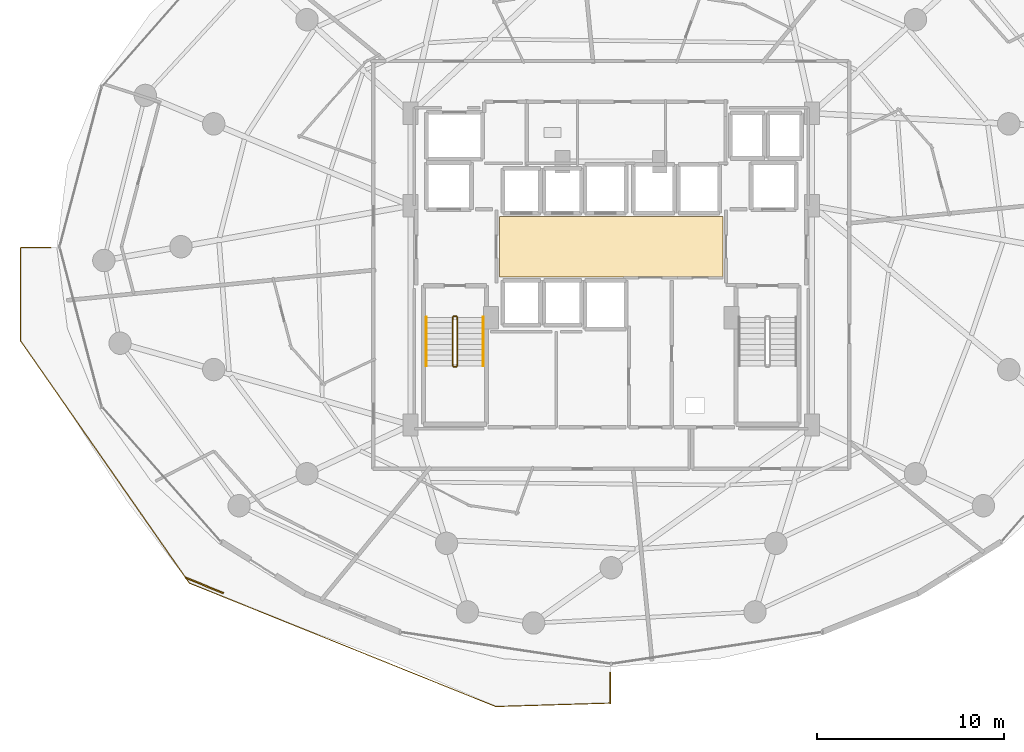
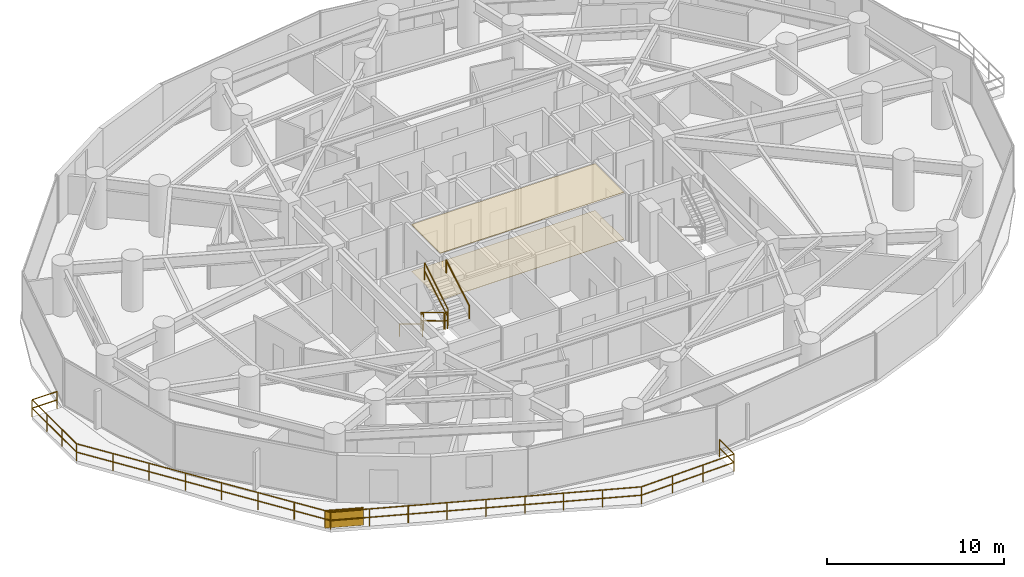
# One storey, part 28 of 30: 8 railings, 2 coverings, 1 shading device.
"""IFC4 building model written with IfcOpenShell, lengths in metres."""

import ifcopenshell
import ifcopenshell.guid

model = None  # the IFC model being written
_history = None  # IfcOwnerHistory: only IFC2X3 demands one
_inside = {}  # id of a spatial element -> (the spatial element, [elements in it])
_under = {}  # id of a project, library or spatial element -> (it, [spatial elements below it])
_declared = {}  # id of a project -> (the project, [libraries it declares])
_typed = {}  # id of a type object -> (the type object, [elements of that type])
_made_of = {}  # id of a material, layer set ... -> (it, [elements and type objects made of it])


def new_model(schema):
    """Start an empty IFC model of exactly this schema.

    Asked for "IFC4X3", IfcOpenShell would pick the latest addendum, in which some entities
    have other attributes; the version numbers below select the first issue.
    IFC2X3 requires an IfcOwnerHistory on every rooted entity: one is made here for all.
    """
    global model, _history
    if schema == "IFC4X3":
        model = ifcopenshell.file(schema_version=(4, 3, 0, 0))
    else:
        model = ifcopenshell.file(schema=schema)
    _inside.clear()
    _under.clear()
    _declared.clear()
    _typed.clear()
    _made_of.clear()
    _history = None
    if model.schema == "IFC2X3":
        org = make("IfcOrganization", Name="unknown")
        user = make(
            "IfcPersonAndOrganization",
            ThePerson=make("IfcPerson", FamilyName="unknown"),
            TheOrganization=org,
        )
        app = make(
            "IfcApplication",
            ApplicationDeveloper=org,
            Version="unknown",
            ApplicationFullName="unknown",
            ApplicationIdentifier="unknown",
        )
        _history = make(
            "IfcOwnerHistory",
            OwningUser=user,
            OwningApplication=app,
            ChangeAction="ADDED",
            CreationDate=0,
        )
    return model


def make(cls, **values):
    """One entity of the class cls with the attributes given. An attribute that is None is left unset."""
    return model.create_entity(
        cls, **{name: value for name, value in values.items() if value is not None}
    )


def rooted(cls, **values):
    """An entity with a GlobalId (a new one), such as an element, a storey or a relation."""
    return make(cls, GlobalId=ifcopenshell.guid.new(), OwnerHistory=_history, **values)


def si_unit(unit_type, name, prefix=None):
    """IfcSIUnit, for example si_unit("LENGTHUNIT", "METRE", prefix="MILLI")."""
    return make("IfcSIUnit", UnitType=unit_type, Prefix=prefix, Name=name)


def assignment(units):
    """IfcUnitAssignment: the units of a project."""
    return None if units is None else make("IfcUnitAssignment", Units=units)


def point(xyz):
    """IfcCartesianPoint."""
    return None if xyz is None else make("IfcCartesianPoint", Coordinates=xyz)


def direction(xyz):
    """IfcDirection."""
    return None if xyz is None else make("IfcDirection", DirectionRatios=xyz)


def frame(location, z_axis=None, x_axis=None):
    """IfcAxis2Placement3D, a coordinate frame: its origin and axes. An axis left out is left unset."""
    return make(
        "IfcAxis2Placement3D",
        Location=point(location),
        Axis=direction(z_axis),
        RefDirection=direction(x_axis),
    )


def frame_2d(location, x_axis=None):
    """IfcAxis2Placement2D, a coordinate frame in the plane: its origin and x axis."""
    return make(
        "IfcAxis2Placement2D", Location=point(location), RefDirection=direction(x_axis)
    )


def origin():
    """The frame at (0, 0, 0) with its axes left unset."""
    return frame((0.0, 0.0, 0.0))


def origin_2d():
    """The frame at (0, 0) in the plane with its x axis left unset."""
    return frame_2d((0.0, 0.0))


def place(relative_to, where):
    """IfcLocalPlacement: puts the frame where relative to a parent placement (None: the world)."""
    return make(
        "IfcLocalPlacement", PlacementRelTo=relative_to, RelativePlacement=where
    )


def context(
    kind, dimensions, precision=None, world=None, true_north=None, identifier=None
):
    """IfcGeometricRepresentationContext, for example the 3D "Model" context."""
    return make(
        "IfcGeometricRepresentationContext",
        ContextIdentifier=identifier,
        ContextType=kind,
        CoordinateSpaceDimension=dimensions,
        Precision=precision,
        WorldCoordinateSystem=world,
        TrueNorth=true_north,
    )


def subcontext(parent, identifier, kind, view, scale=None):
    """IfcGeometricRepresentationSubContext, for example "Body" below "Model"."""
    return make(
        "IfcGeometricRepresentationSubContext",
        ContextIdentifier=identifier,
        ContextType=kind,
        ParentContext=parent,
        TargetScale=scale,
        TargetView=view,
    )


def project(units=None, contexts=None):
    """IfcProject with its units and contexts."""
    return rooted(
        "IfcProject",
        Name="project",
        RepresentationContexts=contexts,
        UnitsInContext=assignment(units),
    )


def spatial(cls, under=None, at=None, **own):
    """A site, building, storey or space (cls), placed at a placement, below another one or the project."""
    s = rooted(cls, ObjectPlacement=at, **own)
    if under is not None:
        _under.setdefault(under.id(), (under, []))[1].append(s)
    return s


def polyline(points):
    """IfcPolyline through the points."""
    return make("IfcPolyline", Points=[point(p) for p in points])


def profile(cls, at=None, kind="AREA", **sizes):
    """A parametric profile (cls). Its sizes go by their IFC names, for example OverallWidth=200.0."""
    return make(cls, ProfileType=kind, Position=at, **sizes)


def rectangle(**sizes):
    """IfcRectangleProfileDef."""
    return profile("IfcRectangleProfileDef", **sizes)


def outline(outer, holes=None, kind="AREA"):
    """IfcArbitraryClosedProfileDef: a profile drawn as a closed curve; with holes, ...WithVoids."""
    if holes is None:
        return make("IfcArbitraryClosedProfileDef", ProfileType=kind, OuterCurve=outer)
    return make(
        "IfcArbitraryProfileDefWithVoids",
        ProfileType=kind,
        OuterCurve=outer,
        InnerCurves=holes,
    )


def extrude(swept, where, along, depth):
    """IfcExtrudedAreaSolid: the profile swept, set in the frame where, extruded along a direction by depth."""
    return make(
        "IfcExtrudedAreaSolid",
        SweptArea=swept,
        Position=where,
        ExtrudedDirection=direction(along),
        Depth=depth,
    )


def shape(context_of_items, identifier, shape_type, items):
    """IfcShapeRepresentation: the items that make up one representation, for example the "Body"."""
    return make(
        "IfcShapeRepresentation",
        ContextOfItems=context_of_items,
        RepresentationIdentifier=identifier,
        RepresentationType=shape_type,
        Items=items,
    )


def material(Name=None, Category=None):
    """IfcMaterial."""
    return make("IfcMaterial", Name=Name, Category=Category)


def layer(
    of_material, thickness, ventilated=None, Name=None, Category=None, Priority=None
):
    """IfcMaterialLayer: one layer of a wall or slab, of a material (None: an air gap)."""
    return make(
        "IfcMaterialLayer",
        Material=of_material,
        LayerThickness=thickness,
        IsVentilated=ventilated,
        Name=Name,
        Category=Category,
        Priority=Priority,
    )


def layer_set(layers, Name=None):
    """IfcMaterialLayerSet."""
    return make("IfcMaterialLayerSet", MaterialLayers=layers, LayerSetName=Name)


def made_of(thing, what):
    """Note that an element or type object is made of a material, layer set ...; save() writes the relation."""
    if what is not None:
        _made_of.setdefault(what.id(), (what, []))[1].append(thing)
    return thing


def type_object(cls, material=None, **own):
    """A type object (cls), such as IfcWallType, which elements share."""
    return made_of(rooted(cls, **own), material)


def element(
    cls,
    number,
    at=None,
    inside=None,
    cuts=None,
    type_object=None,
    material=None,
    context=None,
    identifier="Body",
    shape_type=None,
    held_by="IfcProductDefinitionShape",
    body=None,
    shapes=None,
    **own,
):
    """One element of the class cls, such as IfcWall. Its Tag is "e" and its number.

    at: its placement. inside: the storey or other place that contains it. cuts: it is an
    opening in that element (IfcRelVoidsElement). A single representation is given by context,
    identifier, shape_type and body (its items); several are given by shapes. held_by: the class
    of the entity that holds the representations. save() writes the other relations.
    """
    e = rooted(cls, Tag="e%d" % number, ObjectPlacement=at, **own)
    if body is not None:
        shapes = [shape(context, identifier, shape_type, body)]
    if shapes is not None:
        e.Representation = make(held_by, Representations=shapes)
    if inside is not None:
        _inside.setdefault(inside.id(), (inside, []))[1].append(e)
    if cuts is not None:
        rooted(
            "IfcRelVoidsElement", RelatingBuildingElement=cuts, RelatedOpeningElement=e
        )
    if type_object is not None:
        _typed.setdefault(type_object.id(), (type_object, []))[1].append(e)
    return made_of(e, material)


def aggregate(whole, parts):
    """IfcRelAggregates: a whole, such as a stair, and the parts it consists of."""
    return rooted("IfcRelAggregates", RelatingObject=whole, RelatedObjects=parts)


def save(model, path):
    """Write the relations noted so far, then the file.

    IfcRelAggregates (storeys below a building ...), IfcRelContainedInSpatialStructure (elements
    in a storey), IfcRelDefinesByType, IfcRelAssociatesMaterial and IfcRelDeclares: one each for
    every whole, place, type object, material and project.
    """
    for whole, parts in _under.values():
        aggregate(whole, parts)
    for where, things in _inside.values():
        rooted(
            "IfcRelContainedInSpatialStructure",
            RelatedElements=things,
            RelatingStructure=where,
        )
    for kind, things in _typed.values():
        rooted("IfcRelDefinesByType", RelatedObjects=things, RelatingType=kind)
    for what, things in _made_of.values():
        rooted("IfcRelAssociatesMaterial", RelatedObjects=things, RelatingMaterial=what)
    for by, libraries in _declared.values():
        rooted("IfcRelDeclares", RelatingContext=by, RelatedDefinitions=libraries)
    model.write(path)


model = new_model("IFC4")

# Units and contexts
model_context = context("Model", 3, precision=1e-05, world=origin(), true_north=direction((0.0, 1.0)))
body_context = subcontext(model_context, "Body", "Model", "MODEL_VIEW")
ifc_project = project(units=[si_unit("LENGTHUNIT", "METRE"), si_unit("AREAUNIT", "SQUARE_METRE"), si_unit("VOLUMEUNIT", "CUBIC_METRE"), si_unit("PLANEANGLEUNIT", "RADIAN"), si_unit("MASSUNIT", "GRAM", prefix="KILO")], contexts=[model_context])

# Site, building, storey
site_placement = place(None, origin())
site = spatial("IfcSite", under=ifc_project, at=site_placement, CompositionType="ELEMENT")
building_placement = place(site_placement, origin())
building = spatial("IfcBuilding", under=site, at=building_placement, Name="Vorneva Point Tower", CompositionType="ELEMENT")
storey_placement = place(building_placement, frame((0.0, 0.0, 55.5)))
storey = spatial("IfcBuildingStorey", under=building, at=storey_placement, Name="L14", CompositionType="ELEMENT", Elevation=55.5)

# Coverings
ifc_material_1 = material(Name="Perforated acoustic aluminium baffle ceiling", Category="aluminium")
ifc_layer_1 = layer(ifc_material_1, 0.030029296875)
ifc_layer_set_1 = layer_set([ifc_layer_1], Name="Perforated acoustic aluminium baffle ceiling")
covering_type_1 = type_object("IfcCoveringType", Name="COV-CEIL-BAF", PredefinedType="CEILING", material=ifc_layer_set_1)
covering_1_placement = place(storey_placement, frame((0.0, 0.0, 3.2099609375)))
element("IfcCovering", 1, at=covering_1_placement, inside=storey, type_object=covering_type_1, Name="L14 Lift Lobby Acoustic Baffle Ceiling", PredefinedType="CEILING", context=body_context, shape_type="SweptSolid", body=[
    extrude(outline(polyline([(32.02001953125, 24.3701171875), (43.97998046875, 24.3701171875), (43.97998046875, 27.6298828125), (32.02001953125, 27.6298828125), (32.02001953125, 24.3701171875)])), origin(), (0.0, 0.0, 1.0), 0.03515625),
])
ifc_material_2 = material(Name="Acoustic wool hospitality carpet", Category="textile")
ifc_layer_2 = layer(ifc_material_2, 0.01806640625)
ifc_layer_set_2 = layer_set([ifc_layer_2], Name="Acoustic wool hospitality carpet")
covering_type_2 = type_object("IfcCoveringType", Name="COV-FLR-CRP", PredefinedType="FLOORING", material=ifc_layer_set_2)
covering_2_placement = place(storey_placement, frame((0.0, 0.0, -0.0048828125)))
element("IfcCovering", 2, at=covering_2_placement, inside=storey, type_object=covering_type_2, Name="L14 Lift Lobby Floor Finish", PredefinedType="FLOORING", context=body_context, shape_type="SweptSolid", body=[
    extrude(outline(polyline([(32.02001953125, 24.3701171875), (43.97998046875, 24.3701171875), (43.97998046875, 27.6298828125), (32.02001953125, 27.6298828125), (32.02001953125, 24.3701171875)])), origin(), (0.0, 0.0, 1.0), 0.02294921875),
])

# Railings
ifc_material_3 = material(Name="Pale anodised aluminium", Category="aluminium")
railing_type_1 = type_object("IfcRailingType", Name="RL-BAL-1200", PredefinedType="BALUSTRADE", material=ifc_material_3)
railing_1_placement = place(storey_placement, frame((37.949951171875, 1.548583984375, 0.0)))
element("IfcRailing", 3, at=railing_1_placement, inside=storey, type_object=railing_type_1, Name="L14 Wave Balcony Balustrade SW.1", PredefinedType="BALUSTRADE", context=body_context, shape_type="SweptSolid", body=[
    extrude(rectangle(XDim=0.048095703125, YDim=0.048095703125, at=origin_2d()), frame((0.0, 0.0, 1.17578125), z_axis=(0.0, 1.0, 0.0), x_axis=(-1.0, 0.0, 0.0)), (0.0, 0.0, 1.0), 1.63427734375),
    extrude(rectangle(XDim=0.048095703125, YDim=0.048095703125, at=origin_2d()), frame((0.0, 0.0, 0.60009765625), z_axis=(0.0, 1.0, 0.0), x_axis=(-1.0, 0.0, 0.0)), (0.0, 0.0, 1.0), 1.63427734375),
    extrude(rectangle(XDim=0.0419921875, YDim=0.0419921875, at=origin_2d()), origin(), (0.0, 0.0, 1.0), 1.15185546875),
    extrude(rectangle(XDim=0.0419921875, YDim=0.0419921875, at=origin_2d()), frame((0.0, 1.63427734375, 0.0)), (0.0, 0.0, 1.0), 1.15185546875),
])
railing_2_placement = place(storey_placement, frame((7.98388671875, 25.949951171875, 0.0)))
element("IfcRailing", 4, at=railing_2_placement, inside=storey, type_object=railing_type_1, Name="L14 Wave Balcony Balustrade SW.2", PredefinedType="BALUSTRADE", context=body_context, shape_type="SweptSolid", body=[
    extrude(rectangle(XDim=0.048095703125, YDim=0.048095703125, at=origin_2d()), frame((0.0, 0.0, 1.17578125), z_axis=(-1.0, 0.0, 0.0), x_axis=(0.0, -1.0, 0.0)), (0.0, 0.0, 1.0), 1.6337890625),
    extrude(rectangle(XDim=0.048095703125, YDim=0.048095703125, at=origin_2d()), frame((0.0, 0.0, 0.60009765625), z_axis=(-1.0, 0.0, 0.0), x_axis=(0.0, -1.0, 0.0)), (0.0, 0.0, 1.0), 1.6337890625),
    extrude(rectangle(XDim=0.048095703125, YDim=0.048095703125, at=origin_2d()), frame((-1.6337890625, 0.0, 1.17578125), z_axis=(0.001806990603, -0.999998367391, 0.0), x_axis=(0.999998367391, 0.001806990603, 0.0)), (0.0, 0.0, 1.0), 4.9990234375),
    extrude(rectangle(XDim=0.048095703125, YDim=0.048095703125, at=origin_2d()), frame((-1.6337890625, 0.0, 0.60009765625), z_axis=(0.001806990603, -0.999998367391, 0.0), x_axis=(0.999998367391, 0.001806990603, 0.0)), (0.0, 0.0, 1.0), 4.9990234375),
    extrude(rectangle(XDim=0.048095703125, YDim=0.048095703125, at=origin_2d()), frame((-1.624755859375, -4.9990234375, 1.17578125), z_axis=(0.57169314474, -0.8204675181, 0.0), x_axis=(0.8204675181, 0.57169314474, 0.0)), (0.0, 0.0, 1.0), 15.81201171875),
    extrude(rectangle(XDim=0.048095703125, YDim=0.048095703125, at=origin_2d()), frame((-1.624755859375, -4.9990234375, 0.60009765625), z_axis=(0.57169314474, -0.8204675181, 0.0), x_axis=(0.8204675181, 0.57169314474, 0.0)), (0.0, 0.0, 1.0), 15.81201171875),
    extrude(rectangle(XDim=0.048095703125, YDim=0.048095703125, at=origin_2d()), frame((7.414794921875, -17.97216796875, 1.17578125), z_axis=(0.927593308703, -0.373591559929, 0.0), x_axis=(0.373591559929, 0.927593308703, 0.0)), (0.0, 0.0, 1.0), 17.701904296875),
    extrude(rectangle(XDim=0.048095703125, YDim=0.048095703125, at=origin_2d()), frame((7.414794921875, -17.97216796875, 0.60009765625), z_axis=(0.927593308703, -0.373591559929, 0.0), x_axis=(0.373591559929, 0.927593308703, 0.0)), (0.0, 0.0, 1.0), 17.701904296875),
    extrude(rectangle(XDim=0.048095703125, YDim=0.048095703125, at=origin_2d()), frame((23.8349609375, -24.58544921875, 1.17578125), z_axis=(0.999549575505, 0.030010766533, 0.0), x_axis=(-0.030010766533, 0.999549575505, 0.0)), (0.0, 0.0, 1.0), 6.1337890625),
    extrude(rectangle(XDim=0.048095703125, YDim=0.048095703125, at=origin_2d()), frame((23.8349609375, -24.58544921875, 0.60009765625), z_axis=(0.999549575505, 0.030010766533, 0.0), x_axis=(-0.030010766533, 0.999549575505, 0.0)), (0.0, 0.0, 1.0), 6.1337890625),
    extrude(rectangle(XDim=0.0419921875, YDim=0.0419921875, at=origin_2d()), origin(), (0.0, 0.0, 1.0), 1.15185546875),
    extrude(rectangle(XDim=0.0419921875, YDim=0.0419921875, at=origin_2d()), frame((-1.6337890625, 0.0, 0.0)), (0.0, 0.0, 1.0), 1.15185546875),
    extrude(rectangle(XDim=0.0419921875, YDim=0.0419921875, at=origin_2d()), frame((-1.630859375, -1.666259765625, 0.0)), (0.0, 0.0, 1.0), 1.15185546875),
    extrude(rectangle(XDim=0.0419921875, YDim=0.0419921875, at=origin_2d()), frame((-1.627685546875, -3.332763671875, 0.0)), (0.0, 0.0, 1.0), 1.15185546875),
    extrude(rectangle(XDim=0.0419921875, YDim=0.0419921875, at=origin_2d()), frame((-1.624755859375, -4.9990234375, 0.0)), (0.0, 0.0, 1.0), 1.15185546875),
    extrude(rectangle(XDim=0.0419921875, YDim=0.0419921875, at=origin_2d()), frame((-0.33349609375, -6.852294921875, 0.0)), (0.0, 0.0, 1.0), 1.15185546875),
    extrude(rectangle(XDim=0.0419921875, YDim=0.0419921875, at=origin_2d()), frame((0.9580078125, -8.70556640625, 0.0)), (0.0, 0.0, 1.0), 1.15185546875),
    extrude(rectangle(XDim=0.0419921875, YDim=0.0419921875, at=origin_2d()), frame((2.249267578125, -10.558837890625, 0.0)), (0.0, 0.0, 1.0), 1.15185546875),
    extrude(rectangle(XDim=0.0419921875, YDim=0.0419921875, at=origin_2d()), frame((3.540771484375, -12.412353515625, 0.0)), (0.0, 0.0, 1.0), 1.15185546875),
    extrude(rectangle(XDim=0.0419921875, YDim=0.0419921875, at=origin_2d()), frame((4.83203125, -14.265625, 0.0)), (0.0, 0.0, 1.0), 1.15185546875),
    extrude(rectangle(XDim=0.0419921875, YDim=0.0419921875, at=origin_2d()), frame((6.12353515625, -16.118896484375, 0.0)), (0.0, 0.0, 1.0), 1.15185546875),
    extrude(rectangle(XDim=0.0419921875, YDim=0.0419921875, at=origin_2d()), frame((7.414794921875, -17.97216796875, 0.0)), (0.0, 0.0, 1.0), 1.15185546875),
    extrude(rectangle(XDim=0.0419921875, YDim=0.0419921875, at=origin_2d()), frame((9.46728515625, -18.798828125, 0.0)), (0.0, 0.0, 1.0), 1.15185546875),
    extrude(rectangle(XDim=0.0419921875, YDim=0.0419921875, at=origin_2d()), frame((11.519775390625, -19.62548828125, 0.0)), (0.0, 0.0, 1.0), 1.15185546875),
    extrude(rectangle(XDim=0.0419921875, YDim=0.0419921875, at=origin_2d()), frame((13.572265625, -20.4521484375, 0.0)), (0.0, 0.0, 1.0), 1.15185546875),
    extrude(rectangle(XDim=0.0419921875, YDim=0.0419921875, at=origin_2d()), frame((15.625, -21.27880859375, 0.0)), (0.0, 0.0, 1.0), 1.15185546875),
    extrude(rectangle(XDim=0.0419921875, YDim=0.0419921875, at=origin_2d()), frame((17.677490234375, -22.10546875, 0.0)), (0.0, 0.0, 1.0), 1.15185546875),
    extrude(rectangle(XDim=0.0419921875, YDim=0.0419921875, at=origin_2d()), frame((19.72998046875, -22.93212890625, 0.0)), (0.0, 0.0, 1.0), 1.15185546875),
    extrude(rectangle(XDim=0.0419921875, YDim=0.0419921875, at=origin_2d()), frame((21.782470703125, -23.7587890625, 0.0)), (0.0, 0.0, 1.0), 1.15185546875),
    extrude(rectangle(XDim=0.0419921875, YDim=0.0419921875, at=origin_2d()), frame((23.8349609375, -24.58544921875, 0.0)), (0.0, 0.0, 1.0), 1.15185546875),
    extrude(rectangle(XDim=0.0419921875, YDim=0.0419921875, at=origin_2d()), frame((25.878662109375, -24.524169921875, 0.0)), (0.0, 0.0, 1.0), 1.15185546875),
    extrude(rectangle(XDim=0.0419921875, YDim=0.0419921875, at=origin_2d()), frame((27.92236328125, -24.462646484375, 0.0)), (0.0, 0.0, 1.0), 1.15185546875),
    extrude(rectangle(XDim=0.0419921875, YDim=0.0419921875, at=origin_2d()), frame((29.966064453125, -24.4013671875, 0.0)), (0.0, 0.0, 1.0), 1.15185546875),
])
ifc_material_4 = material(Name="Brushed stainless steel S304", Category="steel")
railing_type_2 = type_object("IfcRailingType", Name="RL-HND-920", PredefinedType="HANDRAIL", material=ifc_material_4)
railing_3_placement = place(storey_placement, frame((28.10009765625, 22.219970703125, 0.175048828125)))
element("IfcRailing", 5, at=railing_3_placement, inside=storey, type_object=railing_type_2, Name="L14 ST1 stair handrail 1", PredefinedType="HANDRAIL", context=body_context, shape_type="SweptSolid", body=[
    extrude(rectangle(XDim=0.048095703125, YDim=0.048095703125, at=origin_2d()), frame((0.0, 0.0, 0.8759765625), z_axis=(0.0, -0.85618277418, 0.516673066065), x_axis=(1.0, 0.0, 0.0)), (0.0, 0.0, 1.0), 3.04833984375),
    extrude(rectangle(XDim=0.0419921875, YDim=0.0419921875, at=origin_2d()), origin(), (0.0, 0.0, 1.0), 0.851806640625),
    extrude(rectangle(XDim=0.0419921875, YDim=0.0419921875, at=origin_2d()), frame((0.0, -2.60986328125, 1.574951171875)), (0.0, 0.0, 1.0), 0.851806640625),
])
railing_4_placement = place(storey_placement, frame((31.14990234375, 19.610107421875, 1.925048828125)))
element("IfcRailing", 6, at=railing_4_placement, inside=storey, type_object=railing_type_2, Name="L14 ST1 stair handrail 2", PredefinedType="HANDRAIL", context=body_context, shape_type="SweptSolid", body=[
    extrude(rectangle(XDim=0.048095703125, YDim=0.048095703125, at=origin_2d()), frame((0.0, 0.0, 0.8759765625), z_axis=(0.0, 0.85618277418, 0.516673066065), x_axis=(-1.0, 0.0, 0.0)), (0.0, 0.0, 1.0), 3.04833984375),
    extrude(rectangle(XDim=0.0419921875, YDim=0.0419921875, at=origin_2d()), origin(), (0.0, 0.0, 1.0), 0.851806640625),
    extrude(rectangle(XDim=0.0419921875, YDim=0.0419921875, at=origin_2d()), frame((0.0, 2.60986328125, 1.574951171875)), (0.0, 0.0, 1.0), 0.851806640625),
])
railing_type_3 = type_object("IfcRailingType", Name="RL-STG-1100", PredefinedType="GUARDRAIL", material=ifc_material_4)
railing_5_placement = place(storey_placement, frame((29.5, 22.219970703125, 0.175048828125)))
element("IfcRailing", 7, at=railing_5_placement, inside=storey, type_object=railing_type_3, Name="L14 ST1 stair guard 1", PredefinedType="GUARDRAIL", context=body_context, shape_type="SweptSolid", body=[
    extrude(rectangle(XDim=0.048095703125, YDim=0.048095703125, at=origin_2d()), frame((0.0, 0.0, 1.17578125), z_axis=(0.0, -0.85618277418, 0.516673066065), x_axis=(1.0, 0.0, 0.0)), (0.0, 0.0, 1.0), 3.04833984375),
    extrude(rectangle(XDim=0.048095703125, YDim=0.048095703125, at=origin_2d()), frame((0.0, 0.0, 0.60009765625), z_axis=(0.0, -0.85618277418, 0.516673066065), x_axis=(1.0, 0.0, 0.0)), (0.0, 0.0, 1.0), 3.04833984375),
    extrude(rectangle(XDim=0.0419921875, YDim=0.0419921875, at=origin_2d()), origin(), (0.0, 0.0, 1.0), 1.15185546875),
    extrude(rectangle(XDim=0.0419921875, YDim=0.0419921875, at=origin_2d()), frame((0.0, -2.60986328125, 1.574951171875)), (0.0, 0.0, 1.0), 1.15185546875),
])
railing_6_placement = place(storey_placement, frame((29.550048828125, 19.56005859375, 1.75)))
element("IfcRailing", 8, at=railing_6_placement, inside=storey, type_object=railing_type_3, Name="L14 ST1 stair guard 2", PredefinedType="GUARDRAIL", context=body_context, shape_type="SweptSolid", body=[
    extrude(rectangle(XDim=0.048095703125, YDim=0.048095703125, at=origin_2d()), frame((0.0, 0.0, 1.17578125), z_axis=(1.0, 0.0, 0.0), x_axis=(0.0, 1.0, 0.0)), (0.0, 0.0, 1.0), 0.14990234375),
    extrude(rectangle(XDim=0.048095703125, YDim=0.048095703125, at=origin_2d()), frame((0.0, 0.0, 0.60009765625), z_axis=(1.0, 0.0, 0.0), x_axis=(0.0, 1.0, 0.0)), (0.0, 0.0, 1.0), 0.14990234375),
    extrude(rectangle(XDim=0.0419921875, YDim=0.0419921875, at=origin_2d()), origin(), (0.0, 0.0, 1.0), 1.15185546875),
    extrude(rectangle(XDim=0.0419921875, YDim=0.0419921875, at=origin_2d()), frame((0.14990234375, 0.0, 0.0)), (0.0, 0.0, 1.0), 1.15185546875),
])
railing_7_placement = place(storey_placement, frame((29.75, 19.610107421875, 1.925048828125)))
element("IfcRailing", 9, at=railing_7_placement, inside=storey, type_object=railing_type_3, Name="L14 ST1 stair guard 3", PredefinedType="GUARDRAIL", context=body_context, shape_type="SweptSolid", body=[
    extrude(rectangle(XDim=0.048095703125, YDim=0.048095703125, at=origin_2d()), frame((0.0, 0.0, 1.17578125), z_axis=(0.0, 0.85618277418, 0.516673066065), x_axis=(-1.0, 0.0, 0.0)), (0.0, 0.0, 1.0), 3.04833984375),
    extrude(rectangle(XDim=0.048095703125, YDim=0.048095703125, at=origin_2d()), frame((0.0, 0.0, 0.60009765625), z_axis=(0.0, 0.85618277418, 0.516673066065), x_axis=(-1.0, 0.0, 0.0)), (0.0, 0.0, 1.0), 3.04833984375),
    extrude(rectangle(XDim=0.0419921875, YDim=0.0419921875, at=origin_2d()), origin(), (0.0, 0.0, 1.0), 1.15185546875),
    extrude(rectangle(XDim=0.0419921875, YDim=0.0419921875, at=origin_2d()), frame((0.0, 2.60986328125, 1.574951171875)), (0.0, 0.0, 1.0), 1.15185546875),
])
railing_8_placement = place(storey_placement, frame((29.550048828125, 22.27001953125, 0.0)))
element("IfcRailing", 10, at=railing_8_placement, inside=storey, type_object=railing_type_3, Name="L14 ST1 stair guard 4", PredefinedType="GUARDRAIL", context=body_context, shape_type="SweptSolid", body=[
    extrude(rectangle(XDim=0.048095703125, YDim=0.048095703125, at=origin_2d()), frame((0.0, 0.0, 1.17578125), z_axis=(1.0, 0.0, 0.0), x_axis=(0.0, 1.0, 0.0)), (0.0, 0.0, 1.0), 0.14990234375),
    extrude(rectangle(XDim=0.048095703125, YDim=0.048095703125, at=origin_2d()), frame((0.0, 0.0, 0.60009765625), z_axis=(1.0, 0.0, 0.0), x_axis=(0.0, 1.0, 0.0)), (0.0, 0.0, 1.0), 0.14990234375),
    extrude(rectangle(XDim=0.0419921875, YDim=0.0419921875, at=origin_2d()), origin(), (0.0, 0.0, 1.0), 1.15185546875),
    extrude(rectangle(XDim=0.0419921875, YDim=0.0419921875, at=origin_2d()), frame((0.14990234375, 0.0, 0.0)), (0.0, 0.0, 1.0), 1.15185546875),
])

# Shading device
shading_device_type = type_object("IfcShadingDeviceType", Name="SHD-JAL-1200", PredefinedType="JALOUSIE", material=ifc_material_3)
shading_device_placement = place(storey_placement, frame((16.21044921875, 7.85546875, -0.02001953125), z_axis=(0.0, 0.0, 1.0), x_axis=(0.925447955078, -0.378874758255, 0.0)))
element("IfcShadingDevice", 11, at=shading_device_placement, inside=storey, type_object=shading_device_type, Name="L14 Balcony Vertical-Greenery Planter Screen SW.2", PredefinedType="JALOUSIE", context=body_context, shape_type="SweptSolid", body=[
    extrude(rectangle(XDim=2.199951171875, YDim=0.080078125, at=origin_2d()), origin(), (0.0, 0.0, 1.0), 1.199951171875),
])

save(model, "model.ifc")
